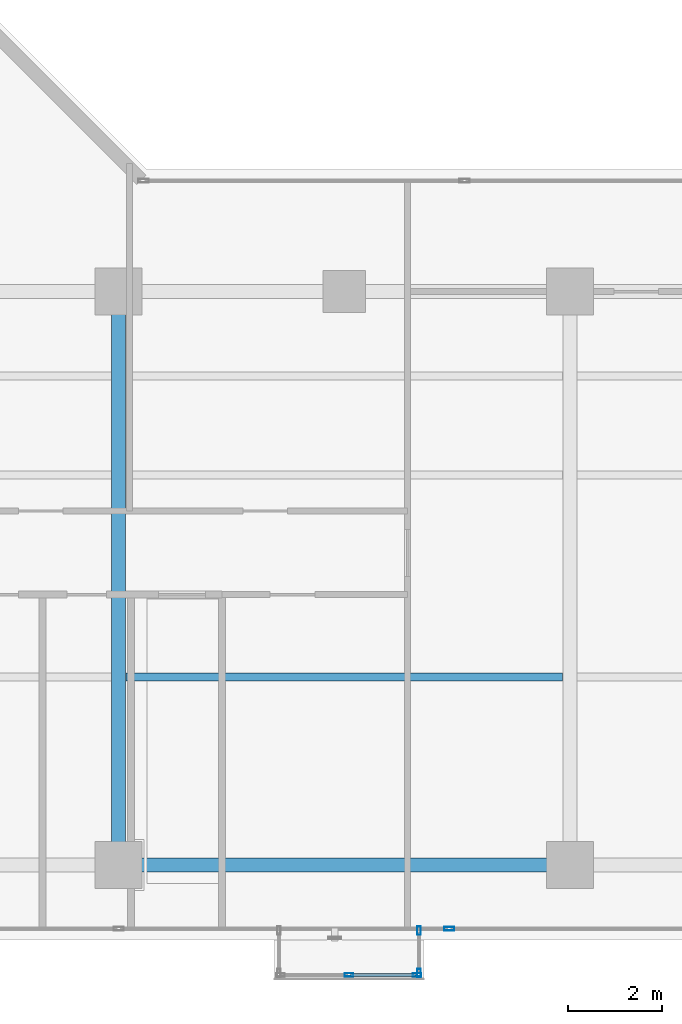
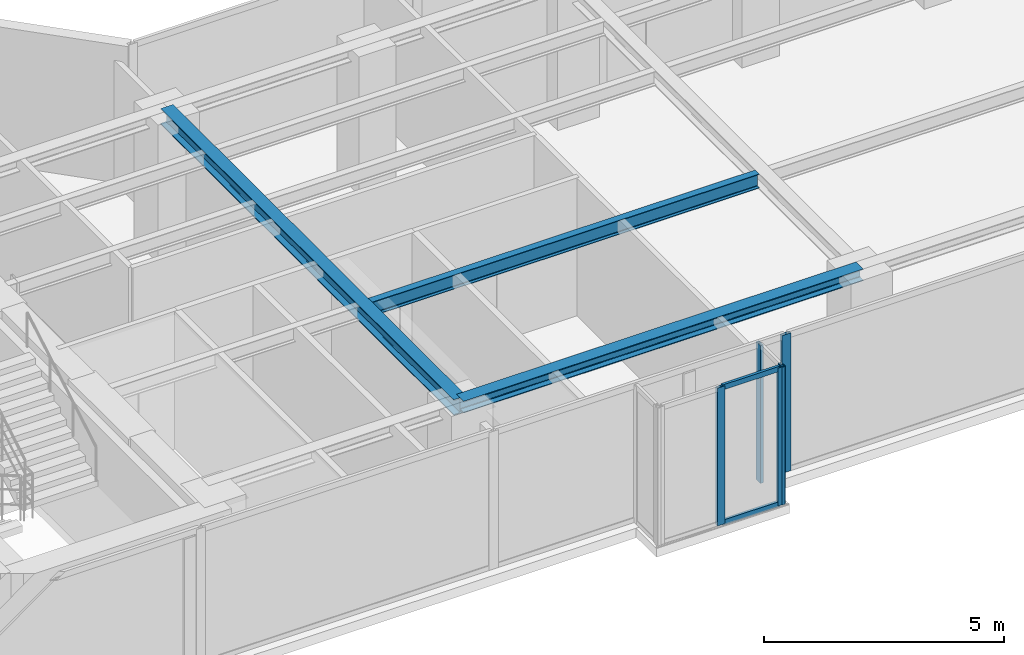
# One storey, part 5 of 22: 7 members, 3 beams, 3 elements without a shape of their own.
"""IFC4 building model written with IfcOpenShell, lengths in metres."""

from ifc_helpers import new_model, si_unit, direction, frame, origin, origin_with_axes, origin_2d, place, context, subcontext, project, spatial, hollow_rectangle, i_section, extrude, source, transform, mapped, material, layer, layer_set, material_profile, profile_set, type_object, element, aggregate, save


model = new_model("IFC4")

# Units and contexts
model_context = context("Model", 3, precision=1e-05, world=origin(), true_north=direction((0.0, 1.0)))
body_context = subcontext(model_context, "Body", "Model", "MODEL_VIEW")
ifc_project = project(units=[si_unit("LENGTHUNIT", "METRE"), si_unit("AREAUNIT", "SQUARE_METRE"), si_unit("VOLUMEUNIT", "CUBIC_METRE"), si_unit("PLANEANGLEUNIT", "RADIAN"), si_unit("MASSUNIT", "GRAM", prefix="KILO")], contexts=[model_context])

# Site, building, storey
site_placement = place(None, origin())
site = spatial("IfcSite", under=ifc_project, at=site_placement, CompositionType="ELEMENT")
building_placement = place(site_placement, origin())
building = spatial("IfcBuilding", under=site, at=building_placement, Name="Kolvaren Waterfront Exchange", CompositionType="ELEMENT")
storey_placement = place(building_placement, frame((0.0, 0.0, 219.699951171875)))
storey = spatial("IfcBuildingStorey", under=building, at=storey_placement, Name="L56", CompositionType="ELEMENT", Elevation=219.699951171875)

# Beams
ifc_material_1 = material(Name="Steel S355", Category="steel")
ifc_material_profile_1 = material_profile(ifc_material_1, i_section(OverallWidth=0.300048828125, OverallDepth=0.300048828125, WebThickness=0.010986328125, FlangeThickness=0.01904296875, FilletRadius=0.027099609375, at=origin_2d()), Name="HEB300")
ifc_profile_set_1 = profile_set([ifc_material_profile_1], Name="Steel S355")
beam_type_1 = type_object("IfcBeamType", Name="STR-BM-HEB300", PredefinedType="SPANDREL", material=ifc_profile_set_1)
beam_1_placement = place(storey_placement, frame((27.199951171875, 5.199951171875, 3.35009765625), z_axis=(1.0, 0.0, 0.0), x_axis=(0.0, 1.0, 0.0)))
element("IfcBeam", 1, at=beam_1_placement, inside=storey, type_object=beam_type_1, Name="L56 east-arm spandrel S2", PredefinedType="SPANDREL", context=body_context, shape_type="SweptSolid", body=[
    extrude(i_section(OverallWidth=0.300048828125, OverallDepth=0.300048828125, WebThickness=0.010986328125, FlangeThickness=0.01904296875, FilletRadius=0.027099609375, at=origin_2d()), origin(), (0.0, 0.0, 1.0), 9.60009765625),
])
ifc_material_profile_2 = material_profile(ifc_material_1, i_section(OverallWidth=0.300048828125, OverallDepth=0.39990234375, WebThickness=0.013427734375, FlangeThickness=0.02392578125, FilletRadius=0.027099609375, at=origin_2d()), Name="HEB400")
ifc_profile_set_2 = profile_set([ifc_material_profile_2], Name="Steel S355")
beam_type_2 = type_object("IfcBeamType", Name="STR-BM-HEB400", PredefinedType="BEAM", material=ifc_profile_set_2)
beam_2_placement = place(storey_placement, frame((27.199951171875, 5.199951171875, 3.300048828125), z_axis=(0.0, 1.0, 0.0), x_axis=(-1.0, 0.0, 0.0)))
element("IfcBeam", 2, at=beam_2_placement, inside=storey, type_object=beam_type_2, Name="L56 east-arm transverse girder X27", PredefinedType="BEAM", context=body_context, shape_type="SweptSolid", body=[
    extrude(i_section(OverallWidth=0.300048828125, OverallDepth=0.39990234375, WebThickness=0.013427734375, FlangeThickness=0.02392578125, FilletRadius=0.027099609375, at=origin_2d()), origin(), (0.0, 0.0, 1.0), 12.199951171875),
])
ifc_material_profile_3 = material_profile(ifc_material_1, i_section(OverallWidth=0.169921875, OverallDepth=0.360107421875, WebThickness=0.008056640625, FlangeThickness=0.0126953125, FilletRadius=0.01806640625, at=origin_2d()), Name="IPE360")
ifc_profile_set_3 = profile_set([ifc_material_profile_3], Name="Steel S355")
beam_type_3 = type_object("IfcBeamType", Name="STR-BM-IPE360", PredefinedType="JOIST", material=ifc_profile_set_3)
beam_3_placement = place(storey_placement, frame((27.35205078125, 9.199951171875, 3.320068359375), z_axis=(1.0, 0.0, 0.0), x_axis=(0.0, 1.0, 0.0)))
element("IfcBeam", 3, at=beam_3_placement, inside=storey, type_object=beam_type_3, Name="L56 east-arm composite joist 2B", PredefinedType="JOIST", context=body_context, shape_type="SweptSolid", body=[
    extrude(i_section(OverallWidth=0.169921875, OverallDepth=0.360107421875, WebThickness=0.008056640625, FlangeThickness=0.0126953125, FilletRadius=0.01806640625, at=origin_2d()), origin(), (0.0, 0.0, 1.0), 9.2958984375),
])

# Curtain wall, members
ifc_material_2 = material(Name="Anodised bronze aluminium 6063-T6", Category="aluminium")
ifc_layer_1 = layer(ifc_material_2, 0.219970703125, Name="Anodised bronze aluminium 6063-T6")
ifc_layer_set_1 = layer_set([ifc_layer_1], Name="Anodised bronze aluminium 6063-T6")
curtain_wall_type_1 = type_object("IfcCurtainWallType", Name="ARC-CW-SYS3", PredefinedType="USERDEFINED", material=ifc_layer_set_1)
curtain_wall_1_placement = place(storey_placement, origin())
curtain_wall_1 = element("IfcCurtainWall", 4, at=curtain_wall_1_placement, inside=storey, type_object=curtain_wall_type_1, Name="L56 stick curtain wall CW3 (CW-L56-BOX)", ObjectType="STICK CURTAIN WALL", PredefinedType="USERDEFINED")
ifc_material_profile_4 = material_profile(ifc_material_2, hollow_rectangle(XDim=0.06494140625, YDim=0.1298828125, WallThickness=0.00390625, at=origin_2d()), Name="ALU-TRN-130x65x4")
ifc_profile_set_4 = profile_set([ifc_material_profile_4], Name="Anodised bronze aluminium 6063-T6")
member_type_1 = type_object("IfcMemberType", Name="ARC-CWT-130", PredefinedType="USERDEFINED", material=ifc_profile_set_4)
shared_shape_1 = source(origin_with_axes(), body_context, "Body", "SweptSolid", [
    extrude(hollow_rectangle(XDim=0.06494140625, YDim=0.1298828125, WallThickness=0.00390625, at=origin_2d()), origin(), (0.0, 0.0, 1.0), 1.37744140625),
])
member_1_placement = place(storey_placement, frame((32.137451171875, 2.860107421875, 0.032470703125), z_axis=(1.0, 0.0, 0.0), x_axis=(0.0, 1.0, 0.0)))
member_1 = element("IfcMember", 5, at=member_1_placement, type_object=member_type_1, Name="CW3 transom 2.1", ObjectType="TRANSOM", PredefinedType="USERDEFINED", context=body_context, shape_type="MappedRepresentation", body=[
    mapped(shared_shape_1, transform((0.0, 0.0, 0.0), x_axis=(1.0, 0.0, 0.0), y_axis=(0.0, 1.0, 0.0), z_axis=(0.0, 0.0, 1.0), scale=1.0)),
])
member_2_placement = place(storey_placement, frame((32.137451171875, 2.860107421875, 3.467529296875), z_axis=(1.0, 0.0, 0.0), x_axis=(0.0, 1.0, 0.0)))
member_2 = element("IfcMember", 6, at=member_2_placement, type_object=member_type_1, Name="CW3 transom 2.2", ObjectType="TRANSOM", PredefinedType="USERDEFINED", context=body_context, shape_type="MappedRepresentation", body=[
    mapped(shared_shape_1, transform((0.0, 0.0, 0.0), x_axis=(1.0, 0.0, 0.0), y_axis=(0.0, 1.0, 0.0), z_axis=(0.0, 0.0, 1.0), scale=1.0)),
])
ifc_material_profile_5 = material_profile(ifc_material_2, hollow_rectangle(XDim=0.074951171875, YDim=0.179931640625, WallThickness=0.00439453125, at=origin_2d()), Name="ALU-MUL-180x75x4.5")
ifc_profile_set_5 = profile_set([ifc_material_profile_5], Name="Anodised bronze aluminium 6063-T6")
member_type_2 = type_object("IfcMemberType", Name="ARC-CWM-180", PredefinedType="MULLION", material=ifc_profile_set_5)
shared_shape_2 = source(origin_with_axes(), body_context, "Body", "SweptSolid", [
    extrude(hollow_rectangle(XDim=0.074951171875, YDim=0.179931640625, WallThickness=0.00439453125, at=origin_2d()), origin(), (0.0, 0.0, 1.0), 3.5),
])
member_3_placement = place(storey_placement, frame((32.10009765625, 2.860107421875, 0.0), z_axis=(0.0, 0.0, 1.0), x_axis=(0.0, 1.0, 0.0)))
member_3 = element("IfcMember", 7, at=member_3_placement, type_object=member_type_2, Name="CW3 mullion 2", PredefinedType="MULLION", context=body_context, shape_type="MappedRepresentation", body=[
    mapped(shared_shape_2, transform((0.0, 0.0, 0.0), x_axis=(1.0, 0.0, 0.0), y_axis=(0.0, 1.0, 0.0), z_axis=(0.0, 0.0, 1.0), scale=1.0)),
])
member_4_placement = place(storey_placement, frame((33.552490234375, 2.860107421875, 0.0), z_axis=(0.0, 0.0, 1.0), x_axis=(0.0, 1.0, 0.0)))
member_4 = element("IfcMember", 8, at=member_4_placement, type_object=member_type_2, Name="CW3 mullion 3", PredefinedType="MULLION", context=body_context, shape_type="MappedRepresentation", body=[
    mapped(shared_shape_2, transform((0.0, 0.0, 0.0), x_axis=(1.0, 0.0, 0.0), y_axis=(0.0, 1.0, 0.0), z_axis=(0.0, 0.0, 1.0), scale=1.0)),
])
aggregate(curtain_wall_1, [member_3, member_4, member_1, member_2])

curtain_wall_2_placement = place(storey_placement, origin())
curtain_wall_2 = element("IfcCurtainWall", 9, at=curtain_wall_2_placement, inside=storey, type_object=curtain_wall_type_1, Name="L56 stick curtain wall CW3 (CW-L56-BOX-E)", ObjectType="STICK CURTAIN WALL", PredefinedType="USERDEFINED")
member_5_placement = place(storey_placement, frame((33.590087890625, 2.8974609375, 0.0), z_axis=(0.0, 0.0, 1.0), x_axis=(-1.0, 0.0, 0.0)))
member_5 = element("IfcMember", 10, at=member_5_placement, type_object=member_type_2, Name="CW3 mullion 1", PredefinedType="MULLION", context=body_context, shape_type="MappedRepresentation", body=[
    mapped(shared_shape_2, transform((0.0, 0.0, 0.0), x_axis=(1.0, 0.0, 0.0), y_axis=(0.0, 1.0, 0.0), z_axis=(0.0, 0.0, 1.0), scale=1.0)),
])
member_6_placement = place(storey_placement, frame((33.590087890625, 3.802490234375, 0.0), z_axis=(0.0, 0.0, 1.0), x_axis=(-1.0, 0.0, 0.0)))
member_6 = element("IfcMember", 11, at=member_6_placement, type_object=member_type_2, Name="CW3 mullion 2", PredefinedType="MULLION", context=body_context, shape_type="MappedRepresentation", body=[
    mapped(shared_shape_2, transform((0.0, 0.0, 0.0), x_axis=(1.0, 0.0, 0.0), y_axis=(0.0, 1.0, 0.0), z_axis=(0.0, 0.0, 1.0), scale=1.0)),
])
aggregate(curtain_wall_2, [member_5, member_6])

# Curtain wall, member
ifc_layer_2 = layer(ifc_material_2, 0.219970703125, Name="Anodised bronze aluminium 6063-T6")
ifc_layer_set_2 = layer_set([ifc_layer_2], Name="Anodised bronze aluminium 6063-T6")
curtain_wall_type_2 = type_object("IfcCurtainWallType", Name="ARC-CW-SYS1", PredefinedType="USERDEFINED", material=ifc_layer_set_2)
curtain_wall_3_placement = place(storey_placement, origin())
curtain_wall_3 = element("IfcCurtainWall", 12, at=curtain_wall_3_placement, inside=storey, type_object=curtain_wall_type_2, Name="L56 stick curtain wall CW1 (CW-L56-S)", ObjectType="STICK CURTAIN WALL", PredefinedType="USERDEFINED")
ifc_material_3 = material(Name="Anodised aluminium 6063-T6", Category="aluminium")
ifc_material_profile_6 = material_profile(ifc_material_3, hollow_rectangle(XDim=0.080078125, YDim=0.219970703125, WallThickness=0.0048828125, at=origin_2d()), Name="ALU-MUL-220x80x5")
ifc_profile_set_6 = profile_set([ifc_material_profile_6], Name="Anodised aluminium 6063-T6")
member_type_3 = type_object("IfcMemberType", Name="ARC-CWM-220", PredefinedType="MULLION", material=ifc_profile_set_6)
shared_shape_3 = source(origin_with_axes(), body_context, "Body", "SweptSolid", [
    extrude(hollow_rectangle(XDim=0.080078125, YDim=0.219970703125, WallThickness=0.0048828125, at=origin_2d()), origin(), (0.0, 0.0, 1.0), 3.5),
])
member_7_placement = place(storey_placement, frame((34.2333984375, 3.840087890625, 0.0), z_axis=(0.0, 0.0, 1.0), x_axis=(0.0, 1.0, 0.0)))
member_7 = element("IfcMember", 13, at=member_7_placement, type_object=member_type_3, Name="CW1 mullion 5", PredefinedType="MULLION", context=body_context, shape_type="MappedRepresentation", body=[
    mapped(shared_shape_3, transform((0.0, 0.0, 0.0), x_axis=(1.0, 0.0, 0.0), y_axis=(0.0, 1.0, 0.0), z_axis=(0.0, 0.0, 1.0), scale=1.0)),
])
aggregate(curtain_wall_3, [member_7])

save(model, "model.ifc")
